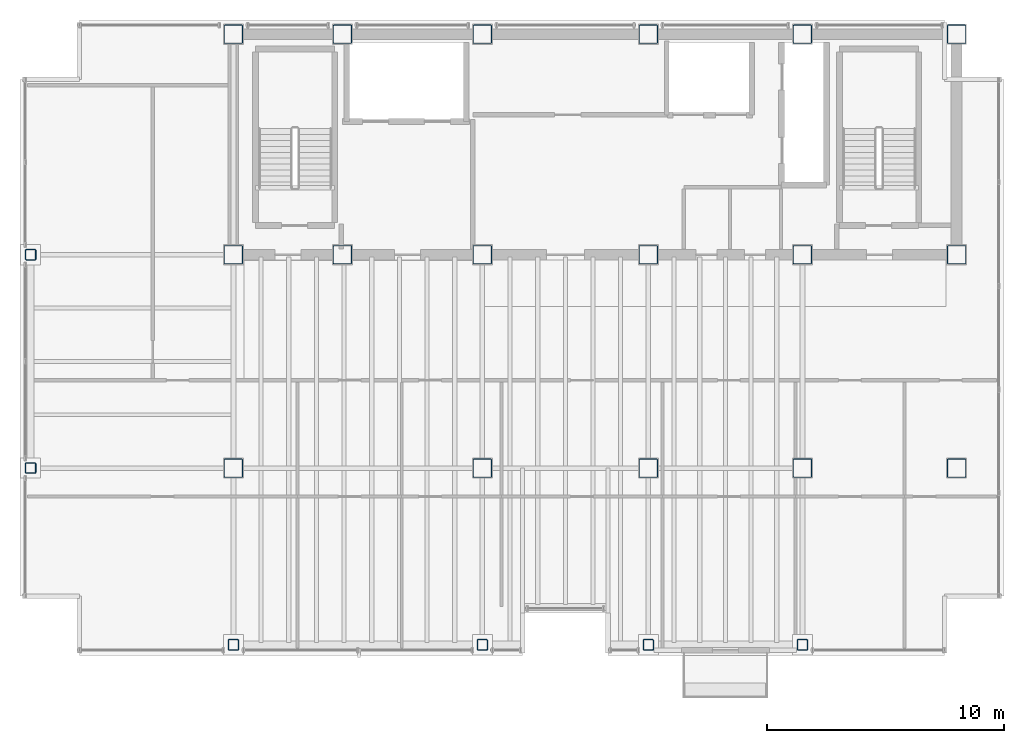
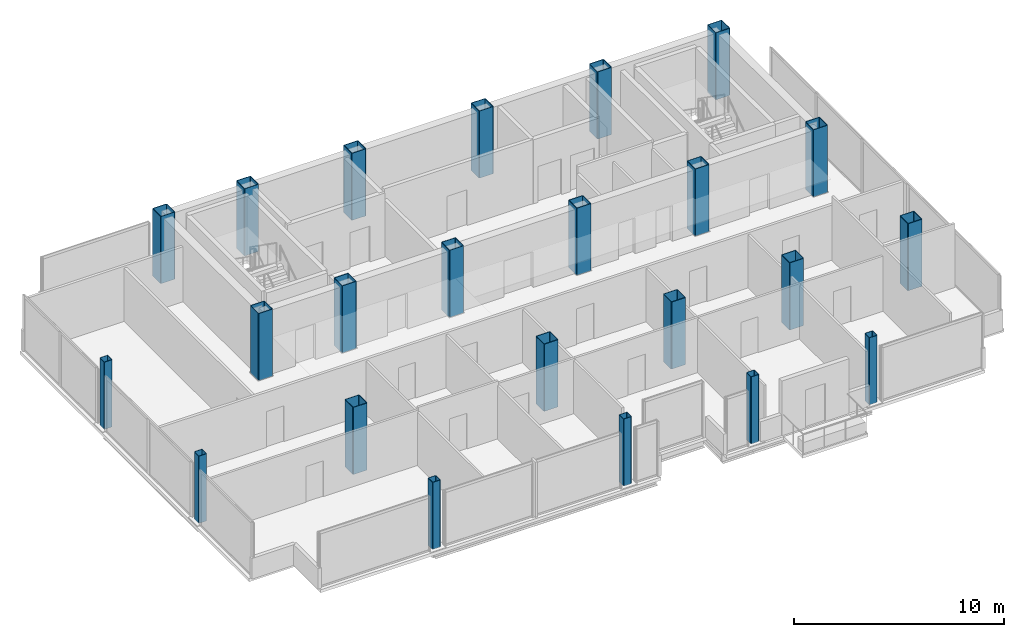
# One storey, part 1 of 17: 23 columns.
"""IFC4 building model written with IfcOpenShell, lengths in metres."""

from ifc_helpers import new_model, si_unit, direction, frame, origin, origin_2d, place, context, subcontext, project, spatial, hollow_rectangle, extrude, material, material_profile, profile_set, type_object, element, save


model = new_model("IFC4")

# Units and contexts
model_context = context("Model", 3, precision=1e-05, world=origin(), true_north=direction((0.0, 1.0)))
body_context = subcontext(model_context, "Body", "Model", "MODEL_VIEW")
ifc_project = project(units=[si_unit("LENGTHUNIT", "METRE"), si_unit("AREAUNIT", "SQUARE_METRE"), si_unit("VOLUMEUNIT", "CUBIC_METRE"), si_unit("PLANEANGLEUNIT", "RADIAN"), si_unit("MASSUNIT", "GRAM", prefix="KILO")], contexts=[model_context])

# Site, building, storey
site_placement = place(None, origin())
site = spatial("IfcSite", under=ifc_project, at=site_placement, CompositionType="ELEMENT")
building_placement = place(site_placement, origin())
building = spatial("IfcBuilding", under=site, at=building_placement, Name="Noeulbin Bourse Tower", CompositionType="ELEMENT")
storey_placement = place(building_placement, frame((0.0, 0.0, 246.199951171875)))
storey = spatial("IfcBuildingStorey", under=building, at=storey_placement, Name="L61", CompositionType="ELEMENT", Elevation=246.199951171875)

# Columns
ifc_material = material(Name="Steel S355", Category="steel")
ifc_material_profile_1 = material_profile(ifc_material, hollow_rectangle(XDim=0.449951171875, YDim=0.449951171875, WallThickness=0.02197265625, InnerFilletRadius=0.02197265625, OuterFilletRadius=0.0439453125, at=origin_2d()), Name="SHS-450x450x22", Category="LoadBearing")
ifc_profile_set_1 = profile_set([ifc_material_profile_1], Name="Steel S355")
column_type_1 = type_object("IfcColumnType", Name="COL-PER-Z3", PredefinedType="COLUMN", material=ifc_profile_set_1)
for number, where, z_axis, x_axis, name in (
    (1, (4.949951171875, 20.0, 0.0), (0.0, 0.0, 1.0), (1.0, 0.0, 0.0), "Tower Perimeter Column COL-PER-Z3 01"),
    (2, (4.949951171875, 29.0, 0.0), (0.0, 0.0, 1.0), (1.0, 0.0, 0.0), "Tower Perimeter Column COL-PER-Z3 02"),
    (3, (13.5, 12.550048828125, 0.0), (0.0, 0.0, 1.0), (1.0, 0.0, 0.0), "Tower Perimeter Column COL-PER-Z3 03"),
    (4, (24.0, 12.550048828125, 0.0), (0.0, 0.0, 1.0), (1.0, 0.0, 0.0), "Tower Perimeter Column COL-PER-Z3 04"),
    (5, (31.0, 12.550048828125, 0.0), (0.0, 0.0, 1.0), (1.0, 0.0, 0.0), "Tower Perimeter Column COL-PER-Z3 05"),
    (6, (37.5, 12.550048828125, 0.0), (0.0, 0.0, 1.0), (1.0, 0.0, 0.0), "Tower Perimeter Column COL-PER-Z3 06"),
):
    element("IfcColumn", number, at=place(storey_placement, frame(where, z_axis=z_axis, x_axis=x_axis)), inside=storey, type_object=column_type_1, Name=name, PredefinedType="COLUMN", context=body_context, shape_type="SweptSolid", body=[
        extrude(hollow_rectangle(XDim=0.449951171875, YDim=0.449951171875, WallThickness=0.02197265625, InnerFilletRadius=0.02197265625, OuterFilletRadius=0.0439453125, at=origin_2d()), origin(), (0.0, 0.0, 1.0), 3.900146484375),
    ])
ifc_material_profile_2 = material_profile(ifc_material, hollow_rectangle(XDim=0.800048828125, YDim=0.800048828125, WallThickness=0.031982421875, InnerFilletRadius=0.01611328125, OuterFilletRadius=0.048095703125, at=origin_2d()), Name="BOX-800x800x32", Category="LoadBearing")
ifc_profile_set_2 = profile_set([ifc_material_profile_2], Name="Steel S355")
column_type_2 = type_object("IfcColumnType", Name="COL-TRK-Z3", PredefinedType="COLUMN", material=ifc_profile_set_2)
for number, where, z_axis, x_axis, name in (
    (7, (13.5, 29.0, 0.0), (0.0, 0.0, 1.0), (1.0, 0.0, 0.0), "Tower Trunk Mega-Column COL-TRK-Z3 01"),
    (8, (13.5, 38.300048828125, 0.0), (0.0, 0.0, 1.0), (1.0, 0.0, 0.0), "Tower Trunk Mega-Column COL-TRK-Z3 02"),
    (9, (18.10009765625, 29.0, 0.0), (0.0, 0.0, 1.0), (1.0, 0.0, 0.0), "Tower Trunk Mega-Column COL-TRK-Z3 03"),
    (10, (18.10009765625, 38.300048828125, 0.0), (0.0, 0.0, 1.0), (1.0, 0.0, 0.0), "Tower Trunk Mega-Column COL-TRK-Z3 04"),
    (11, (24.0, 29.0, 0.0), (0.0, 0.0, 1.0), (1.0, 0.0, 0.0), "Tower Trunk Mega-Column COL-TRK-Z3 05"),
    (12, (24.0, 38.300048828125, 0.0), (0.0, 0.0, 1.0), (1.0, 0.0, 0.0), "Tower Trunk Mega-Column COL-TRK-Z3 06"),
    (13, (31.0, 29.0, 0.0), (0.0, 0.0, 1.0), (1.0, 0.0, 0.0), "Tower Trunk Mega-Column COL-TRK-Z3 07"),
    (14, (31.0, 38.300048828125, 0.0), (0.0, 0.0, 1.0), (1.0, 0.0, 0.0), "Tower Trunk Mega-Column COL-TRK-Z3 08"),
    (15, (37.5, 29.0, 0.0), (0.0, 0.0, 1.0), (1.0, 0.0, 0.0), "Tower Trunk Mega-Column COL-TRK-Z3 09"),
    (16, (37.5, 38.300048828125, 0.0), (0.0, 0.0, 1.0), (1.0, 0.0, 0.0), "Tower Trunk Mega-Column COL-TRK-Z3 10"),
    (17, (44.0, 29.0, 0.0), (0.0, 0.0, 1.0), (1.0, 0.0, 0.0), "Tower Trunk Mega-Column COL-TRK-Z3 11"),
    (18, (44.0, 38.300048828125, 0.0), (0.0, 0.0, 1.0), (1.0, 0.0, 0.0), "Tower Trunk Mega-Column COL-TRK-Z3 12"),
    (19, (13.5, 20.0, 0.0), (0.0, 0.0, 1.0), (1.0, 0.0, 0.0), "Tower Trunk Mega-Column COL-TRK-Z3 13"),
    (20, (24.0, 20.0, 0.0), (0.0, 0.0, 1.0), (1.0, 0.0, 0.0), "Tower Trunk Mega-Column COL-TRK-Z3 14"),
    (21, (31.0, 20.0, 0.0), (0.0, 0.0, 1.0), (1.0, 0.0, 0.0), "Tower Trunk Mega-Column COL-TRK-Z3 15"),
    (22, (37.5, 20.0, 0.0), (0.0, 0.0, 1.0), (1.0, 0.0, 0.0), "Tower Trunk Mega-Column COL-TRK-Z3 16"),
    (23, (44.0, 20.0, 0.0), (0.0, 0.0, 1.0), (1.0, 0.0, 0.0), "Tower Trunk Mega-Column COL-TRK-Z3 17"),
):
    element("IfcColumn", number, at=place(storey_placement, frame(where, z_axis=z_axis, x_axis=x_axis)), inside=storey, type_object=column_type_2, Name=name, PredefinedType="COLUMN", context=body_context, shape_type="SweptSolid", body=[
        extrude(hollow_rectangle(XDim=0.800048828125, YDim=0.800048828125, WallThickness=0.031982421875, InnerFilletRadius=0.01611328125, OuterFilletRadius=0.048095703125, at=origin_2d()), origin(), (0.0, 0.0, 1.0), 3.900146484375),
    ])

save(model, "model.ifc")
